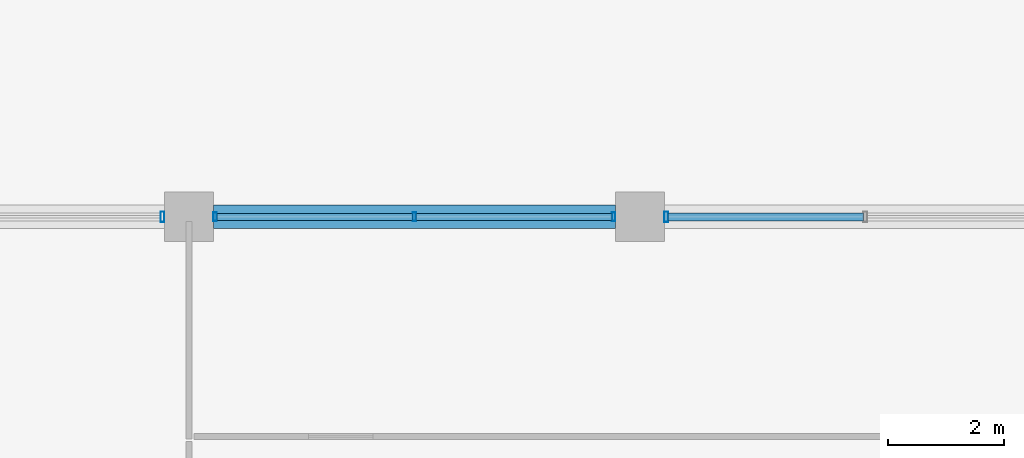
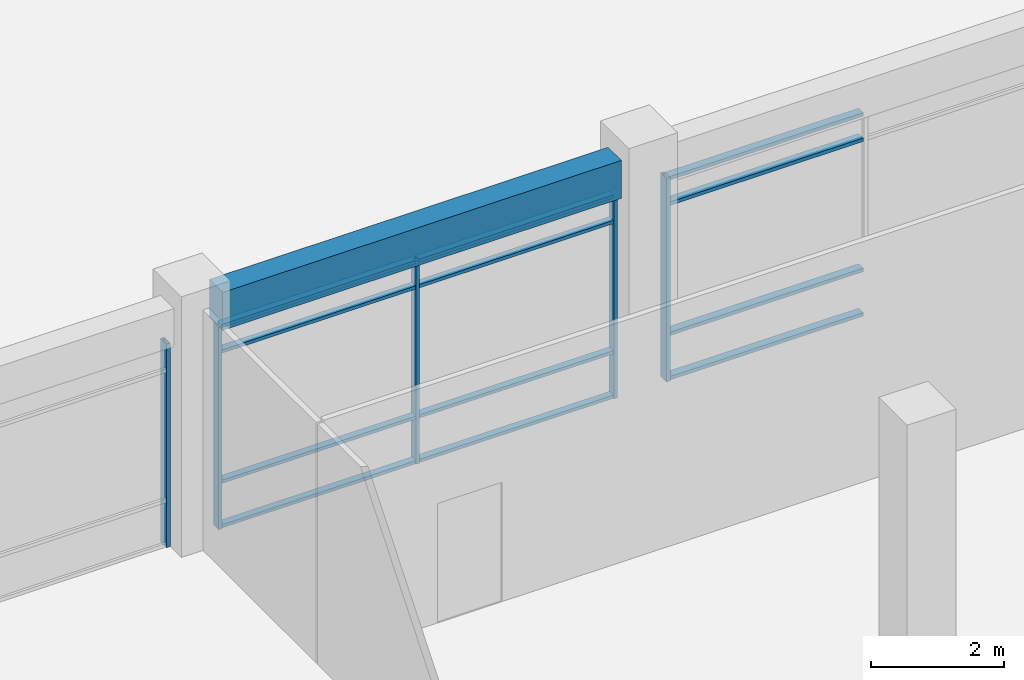
# One storey, part 12 of 74: 17 members, 1 beam, 3 elements without a shape of their own.
"""IFC4 building model written with IfcOpenShell, lengths in metres."""

from ifc_helpers import new_model, si_unit, direction, frame, origin, origin_2d, place, context, subcontext, project, spatial, rectangle, hollow_rectangle, extrude, material, material_profile, profile_set, type_object, element, aggregate, save


model = new_model("IFC4")

# Units and contexts
model_context = context("Model", 3, precision=1e-05, world=origin(), true_north=direction((0.0, 1.0)))
body_context = subcontext(model_context, "Body", "Model", "MODEL_VIEW")
ifc_project = project(units=[si_unit("LENGTHUNIT", "METRE"), si_unit("AREAUNIT", "SQUARE_METRE"), si_unit("VOLUMEUNIT", "CUBIC_METRE"), si_unit("PLANEANGLEUNIT", "RADIAN"), si_unit("MASSUNIT", "GRAM", prefix="KILO"), si_unit("THERMODYNAMICTEMPERATUREUNIT", "KELVIN"), si_unit("POWERUNIT", "WATT")], contexts=[model_context])

# Site, building, storey
site_placement = place(None, origin())
site = spatial("IfcSite", under=ifc_project, at=site_placement, CompositionType="ELEMENT")
building_placement = place(site_placement, origin())
building = spatial("IfcBuilding", under=site, at=building_placement, Name="Srebrne Nadtorze General Hospital", CompositionType="ELEMENT")
storey_placement = place(building_placement, origin())
storey = spatial("IfcBuildingStorey", under=building, at=storey_placement, Name="L00", CompositionType="ELEMENT", Elevation=0.0)

# Curtain wall, members
ifc_material_1 = material(Name="Anodised Aluminium", Category="aluminium")
curtain_wall_type_1 = type_object("IfcCurtainWallType", Name="Unitised curtain wall 6950x3750", PredefinedType="NOTDEFINED", material=ifc_material_1)
curtain_wall_1_placement = place(storey_placement, origin())
curtain_wall_1 = element("IfcCurtainWall", 1, at=curtain_wall_1_placement, inside=storey, type_object=curtain_wall_type_1, Name="Curtain wall CW-006", PredefinedType="NOTDEFINED")
ifc_material_2 = material(Name="Anodised Aluminium", Category="aluminium")
ifc_material_profile_1 = material_profile(ifc_material_2, hollow_rectangle(XDim=0.06005859375, YDim=0.14990234375, WallThickness=0.00390625, at=origin_2d()), Name="AL-MUL-60x150")
ifc_profile_set_1 = profile_set([ifc_material_profile_1], Name="Anodised Aluminium")
member_type_1 = type_object("IfcMemberType", Name="Curtain mullion 60x150", PredefinedType="MULLION", material=ifc_profile_set_1)
member_1_placement = place(storey_placement, frame((62.85498046875, 25.199951171875, 0.0), z_axis=(0.0, 0.0, 1.0), x_axis=(1.0, 0.0, 0.0)))
member_1 = element("IfcMember", 2, at=member_1_placement, type_object=member_type_1, Name="CW-006 mullion 1", PredefinedType="MULLION", context=body_context, shape_type="SweptSolid", body=[
    extrude(hollow_rectangle(XDim=0.06005859375, YDim=0.14990234375, WallThickness=0.00390625, at=origin_2d()), origin(), (0.0, 0.0, 1.0), 3.75),
])
member_2_placement = place(storey_placement, frame((66.300048828125, 25.199951171875, 0.0), z_axis=(0.0, 0.0, 1.0), x_axis=(1.0, 0.0, 0.0)))
member_2 = element("IfcMember", 3, at=member_2_placement, type_object=member_type_1, Name="CW-006 mullion 2", PredefinedType="MULLION", context=body_context, shape_type="SweptSolid", body=[
    extrude(hollow_rectangle(XDim=0.06005859375, YDim=0.14990234375, WallThickness=0.00390625, at=origin_2d()), origin(), (0.0, 0.0, 1.0), 3.75),
])
member_3_placement = place(storey_placement, frame((69.7451171875, 25.199951171875, 0.0), z_axis=(0.0, 0.0, 1.0), x_axis=(1.0, 0.0, 0.0)))
member_3 = element("IfcMember", 4, at=member_3_placement, type_object=member_type_1, Name="CW-006 mullion 3", PredefinedType="MULLION", context=body_context, shape_type="SweptSolid", body=[
    extrude(hollow_rectangle(XDim=0.06005859375, YDim=0.14990234375, WallThickness=0.00390625, at=origin_2d()), origin(), (0.0, 0.0, 1.0), 3.75),
])

# Curtain wall, member
ifc_material_3 = material(Name="Anodised Aluminium", Category="aluminium")
curtain_wall_type_2 = type_object("IfcCurtainWallType", Name="Unitised curtain wall 6925x3750", PredefinedType="NOTDEFINED", material=ifc_material_3)
curtain_wall_2_placement = place(storey_placement, origin())
curtain_wall_2 = element("IfcCurtainWall", 5, at=curtain_wall_2_placement, inside=storey, type_object=curtain_wall_type_2, Name="Curtain wall CW-005", PredefinedType="NOTDEFINED")
ifc_material_4 = material(Name="Anodised Aluminium", Category="aluminium")
ifc_material_profile_2 = material_profile(ifc_material_4, hollow_rectangle(XDim=0.06494140625, YDim=0.179931640625, WallThickness=0.00390625, at=origin_2d()), Name="AL-MUL-65x180")
ifc_profile_set_2 = profile_set([ifc_material_profile_2], Name="Anodised Aluminium")
member_type_2 = type_object("IfcMemberType", Name="Curtain mullion 65x180", PredefinedType="MULLION", material=ifc_profile_set_2)
member_4_placement = place(storey_placement, frame((61.9423828125, 25.199951171875, 0.0), z_axis=(0.0, 0.0, 1.0), x_axis=(1.0, 0.0, 0.0)))
member_4 = element("IfcMember", 6, at=member_4_placement, type_object=member_type_2, Name="CW-005 mullion 3", PredefinedType="MULLION", context=body_context, shape_type="SweptSolid", body=[
    extrude(hollow_rectangle(XDim=0.06494140625, YDim=0.179931640625, WallThickness=0.00390625, at=origin_2d()), origin(), (0.0, 0.0, 1.0), 3.75),
])
aggregate(curtain_wall_2, [member_4])

curtain_wall_3_placement = place(storey_placement, origin())
curtain_wall_3 = element("IfcCurtainWall", 7, at=curtain_wall_3_placement, inside=storey, type_object=curtain_wall_type_1, Name="Curtain wall CW-007", PredefinedType="NOTDEFINED")
member_5_placement = place(storey_placement, frame((70.657470703125, 25.199951171875, 0.0), z_axis=(0.0, 0.0, 1.0), x_axis=(1.0, 0.0, 0.0)))
member_5 = element("IfcMember", 8, at=member_5_placement, type_object=member_type_2, Name="CW-007 mullion 1", PredefinedType="MULLION", context=body_context, shape_type="SweptSolid", body=[
    extrude(hollow_rectangle(XDim=0.06494140625, YDim=0.179931640625, WallThickness=0.00390625, at=origin_2d()), origin(), (0.0, 0.0, 1.0), 3.75),
])

# Member
ifc_material_5 = material(Name="Anodised Aluminium", Category="aluminium")
ifc_material_profile_3 = material_profile(ifc_material_5, hollow_rectangle(XDim=0.06005859375, YDim=0.1201171875, WallThickness=0.00390625, at=origin_2d()), Name="AL-TRN-60x120")
ifc_profile_set_3 = profile_set([ifc_material_profile_3], Name="Anodised Aluminium")
member_type_3 = type_object("IfcMemberType", Name="Curtain transom 60x120", PredefinedType="USERDEFINED", material=ifc_profile_set_3)
member_6_placement = place(storey_placement, frame((62.885009765625, 25.199951171875, 0.030029296875), z_axis=(1.0, 0.0, 0.0), x_axis=(0.0, 0.0, 1.0)))
member_6 = element("IfcMember", 9, at=member_6_placement, type_object=member_type_3, Name="CW-006 transom 1.1", ObjectType="TRANSOM", PredefinedType="USERDEFINED", context=body_context, shape_type="SweptSolid", body=[
    extrude(hollow_rectangle(XDim=0.06005859375, YDim=0.1201171875, WallThickness=0.00390625, at=origin_2d()), origin(), (0.0, 0.0, 1.0), 3.385009765625),
])

member_7_placement = place(storey_placement, frame((62.885009765625, 25.199951171875, 0.85009765625), z_axis=(1.0, 0.0, 0.0), x_axis=(0.0, 0.0, 1.0)))
member_7 = element("IfcMember", 10, at=member_7_placement, type_object=member_type_3, Name="CW-006 transom 1.2", ObjectType="TRANSOM", PredefinedType="USERDEFINED", context=body_context, shape_type="SweptSolid", body=[
    extrude(hollow_rectangle(XDim=0.06005859375, YDim=0.1201171875, WallThickness=0.00390625, at=origin_2d()), origin(), (0.0, 0.0, 1.0), 3.385009765625),
])

member_8_placement = place(storey_placement, frame((62.885009765625, 25.199951171875, 3.25), z_axis=(1.0, 0.0, 0.0), x_axis=(0.0, 0.0, 1.0)))
member_8 = element("IfcMember", 11, at=member_8_placement, type_object=member_type_3, Name="CW-006 transom 1.3", ObjectType="TRANSOM", PredefinedType="USERDEFINED", context=body_context, shape_type="SweptSolid", body=[
    extrude(hollow_rectangle(XDim=0.06005859375, YDim=0.1201171875, WallThickness=0.00390625, at=origin_2d()), origin(), (0.0, 0.0, 1.0), 3.385009765625),
])

member_9_placement = place(storey_placement, frame((62.885009765625, 25.199951171875, 3.719970703125), z_axis=(1.0, 0.0, 0.0), x_axis=(0.0, 0.0, 1.0)))
member_9 = element("IfcMember", 12, at=member_9_placement, type_object=member_type_3, Name="CW-006 transom 1.4", ObjectType="TRANSOM", PredefinedType="USERDEFINED", context=body_context, shape_type="SweptSolid", body=[
    extrude(hollow_rectangle(XDim=0.06005859375, YDim=0.1201171875, WallThickness=0.00390625, at=origin_2d()), origin(), (0.0, 0.0, 1.0), 3.385009765625),
])

member_10_placement = place(storey_placement, frame((66.330078125, 25.199951171875, 0.030029296875), z_axis=(1.0, 0.0, 0.0), x_axis=(0.0, 0.0, 1.0)))
member_10 = element("IfcMember", 13, at=member_10_placement, type_object=member_type_3, Name="CW-006 transom 2.1", ObjectType="TRANSOM", PredefinedType="USERDEFINED", context=body_context, shape_type="SweptSolid", body=[
    extrude(hollow_rectangle(XDim=0.06005859375, YDim=0.1201171875, WallThickness=0.00390625, at=origin_2d()), origin(), (0.0, 0.0, 1.0), 3.385009765625),
])

member_11_placement = place(storey_placement, frame((66.330078125, 25.199951171875, 0.85009765625), z_axis=(1.0, 0.0, 0.0), x_axis=(0.0, 0.0, 1.0)))
member_11 = element("IfcMember", 14, at=member_11_placement, type_object=member_type_3, Name="CW-006 transom 2.2", ObjectType="TRANSOM", PredefinedType="USERDEFINED", context=body_context, shape_type="SweptSolid", body=[
    extrude(hollow_rectangle(XDim=0.06005859375, YDim=0.1201171875, WallThickness=0.00390625, at=origin_2d()), origin(), (0.0, 0.0, 1.0), 3.385009765625),
])

member_12_placement = place(storey_placement, frame((66.330078125, 25.199951171875, 3.25), z_axis=(1.0, 0.0, 0.0), x_axis=(0.0, 0.0, 1.0)))
member_12 = element("IfcMember", 15, at=member_12_placement, type_object=member_type_3, Name="CW-006 transom 2.3", ObjectType="TRANSOM", PredefinedType="USERDEFINED", context=body_context, shape_type="SweptSolid", body=[
    extrude(hollow_rectangle(XDim=0.06005859375, YDim=0.1201171875, WallThickness=0.00390625, at=origin_2d()), origin(), (0.0, 0.0, 1.0), 3.385009765625),
])

member_13_placement = place(storey_placement, frame((66.330078125, 25.199951171875, 3.719970703125), z_axis=(1.0, 0.0, 0.0), x_axis=(0.0, 0.0, 1.0)))
member_13 = element("IfcMember", 16, at=member_13_placement, type_object=member_type_3, Name="CW-006 transom 2.4", ObjectType="TRANSOM", PredefinedType="USERDEFINED", context=body_context, shape_type="SweptSolid", body=[
    extrude(hollow_rectangle(XDim=0.06005859375, YDim=0.1201171875, WallThickness=0.00390625, at=origin_2d()), origin(), (0.0, 0.0, 1.0), 3.385009765625),
])

aggregate(curtain_wall_1, [member_1, member_2, member_3, member_6, member_7, member_8, member_9, member_10, member_11, member_12, member_13])

ifc_material_6 = material(Name="Anodised Aluminium", Category="aluminium")
ifc_material_profile_4 = material_profile(ifc_material_6, hollow_rectangle(XDim=0.06494140625, YDim=0.139892578125, WallThickness=0.00390625, at=origin_2d()), Name="AL-TRN-65x140")
ifc_profile_set_4 = profile_set([ifc_material_profile_4], Name="Anodised Aluminium")
member_type_4 = type_object("IfcMemberType", Name="Curtain transom 65x140", PredefinedType="USERDEFINED", material=ifc_profile_set_4)
member_14_placement = place(storey_placement, frame((70.68994140625, 25.199951171875, 0.032470703125), z_axis=(1.0, 0.0, 0.0), x_axis=(0.0, 0.0, 1.0)))
member_14 = element("IfcMember", 17, at=member_14_placement, type_object=member_type_4, Name="CW-007 transom 1.1", ObjectType="TRANSOM", PredefinedType="USERDEFINED", context=body_context, shape_type="SweptSolid", body=[
    extrude(hollow_rectangle(XDim=0.06494140625, YDim=0.139892578125, WallThickness=0.00390625, at=origin_2d()), origin(), (0.0, 0.0, 1.0), 3.37744140625),
])

member_15_placement = place(storey_placement, frame((70.68994140625, 25.199951171875, 0.85009765625), z_axis=(1.0, 0.0, 0.0), x_axis=(0.0, 0.0, 1.0)))
member_15 = element("IfcMember", 18, at=member_15_placement, type_object=member_type_4, Name="CW-007 transom 1.2", ObjectType="TRANSOM", PredefinedType="USERDEFINED", context=body_context, shape_type="SweptSolid", body=[
    extrude(hollow_rectangle(XDim=0.06494140625, YDim=0.139892578125, WallThickness=0.00390625, at=origin_2d()), origin(), (0.0, 0.0, 1.0), 3.37744140625),
])

member_16_placement = place(storey_placement, frame((70.68994140625, 25.199951171875, 3.25), z_axis=(1.0, 0.0, 0.0), x_axis=(0.0, 0.0, 1.0)))
member_16 = element("IfcMember", 19, at=member_16_placement, type_object=member_type_4, Name="CW-007 transom 1.3", ObjectType="TRANSOM", PredefinedType="USERDEFINED", context=body_context, shape_type="SweptSolid", body=[
    extrude(hollow_rectangle(XDim=0.06494140625, YDim=0.139892578125, WallThickness=0.00390625, at=origin_2d()), origin(), (0.0, 0.0, 1.0), 3.37744140625),
])

member_17_placement = place(storey_placement, frame((70.68994140625, 25.199951171875, 3.717529296875), z_axis=(1.0, 0.0, 0.0), x_axis=(0.0, 0.0, 1.0)))
member_17 = element("IfcMember", 20, at=member_17_placement, type_object=member_type_4, Name="CW-007 transom 1.4", ObjectType="TRANSOM", PredefinedType="USERDEFINED", context=body_context, shape_type="SweptSolid", body=[
    extrude(hollow_rectangle(XDim=0.06494140625, YDim=0.139892578125, WallThickness=0.00390625, at=origin_2d()), origin(), (0.0, 0.0, 1.0), 3.37744140625),
])

aggregate(curtain_wall_3, [member_5, member_14, member_15, member_16, member_17])

# Beam
ifc_material_7 = material(Name="Concrete C40/50", Category="concrete")
ifc_material_profile_5 = material_profile(ifc_material_7, rectangle(XDim=0.39990234375, YDim=0.699951171875, at=origin_2d()), Name="RC-BM-400x700")
ifc_profile_set_5 = profile_set([ifc_material_profile_5], Name="Concrete C40/50")
beam_type = type_object("IfcBeamType", Name="Edge beam RC 400x700", PredefinedType="BEAM", material=ifc_profile_set_5)
beam_placement = place(storey_placement, frame((62.824951171875, 25.199951171875, 4.10009765625), z_axis=(1.0, 0.0, 0.0), x_axis=(0.0, 1.0, 0.0)))
element("IfcBeam", 21, at=beam_placement, inside=storey, type_object=beam_type, Name="Beam BM-L00-X-0204", PredefinedType="BEAM", context=body_context, shape_type="SweptSolid", body=[
    extrude(rectangle(XDim=0.39990234375, YDim=0.699951171875, at=origin_2d()), origin(), (0.0, 0.0, 1.0), 6.949951171875),
])

save(model, "model.ifc")
